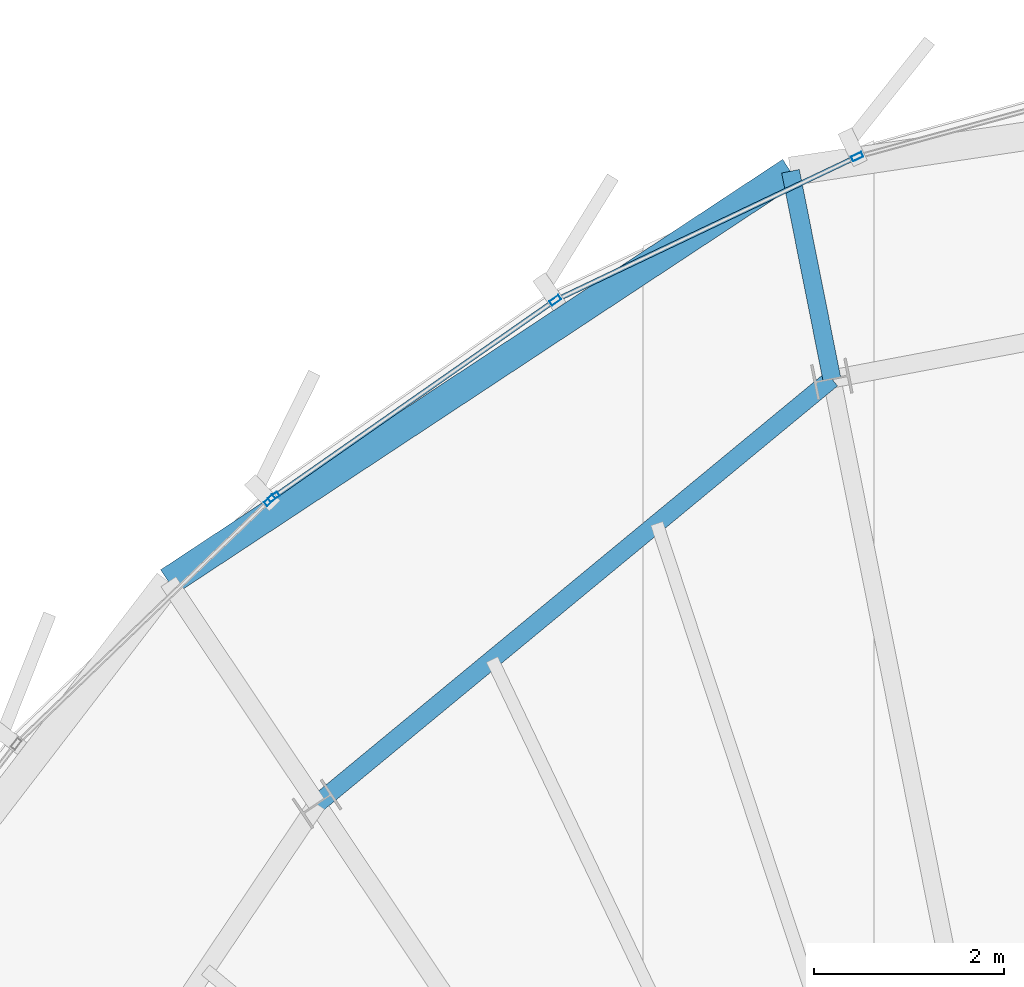
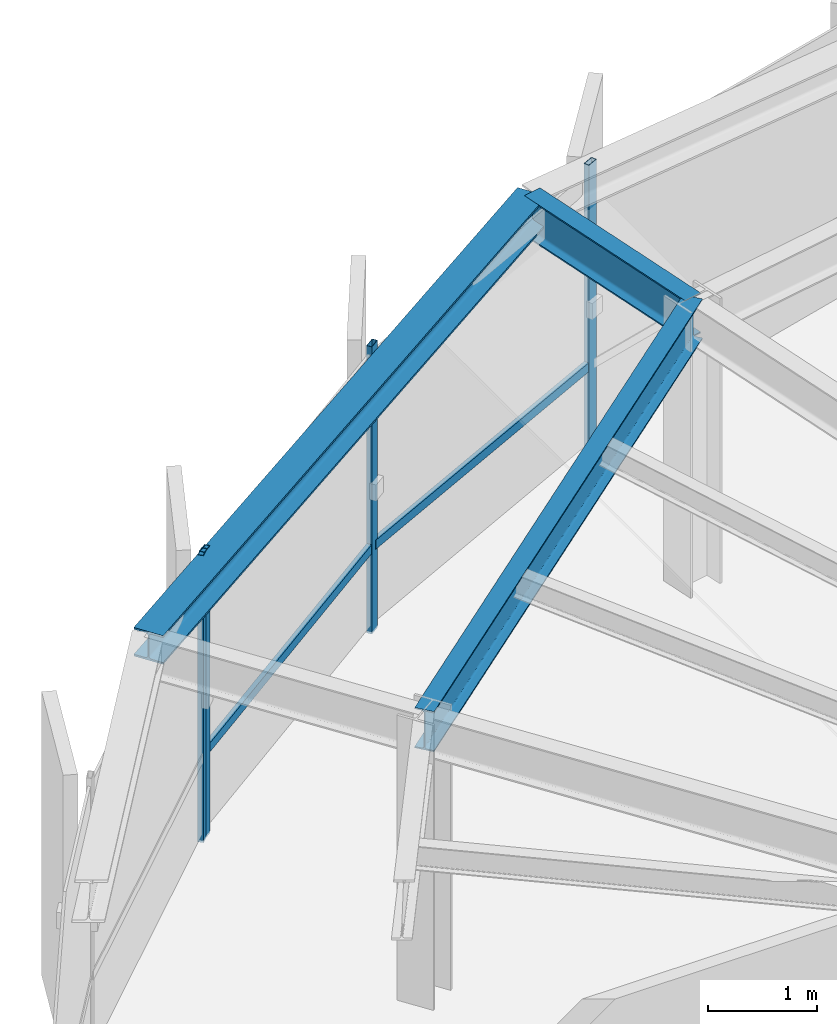
# One storey, part 19 of 30: 6 members, 3 beams, 2 elements without a shape of their own.
"""IFC4 building model written with IfcOpenShell, lengths in metres."""

from ifc_helpers import new_model, si_unit, direction, frame, origin, origin_2d, place, context, subcontext, project, spatial, hollow_rectangle, i_section, extrude, source, transform, mapped, material, layer, layer_set, material_profile, profile_set, type_object, element, aggregate, save


model = new_model("IFC4")

# Units and contexts
model_context = context("Model", 3, precision=1e-05, world=origin(), true_north=direction((0.0, 1.0)))
body_context = subcontext(model_context, "Body", "Model", "MODEL_VIEW")
ifc_project = project(units=[si_unit("LENGTHUNIT", "METRE"), si_unit("AREAUNIT", "SQUARE_METRE"), si_unit("VOLUMEUNIT", "CUBIC_METRE"), si_unit("PLANEANGLEUNIT", "RADIAN"), si_unit("MASSUNIT", "GRAM", prefix="KILO"), si_unit("THERMODYNAMICTEMPERATUREUNIT", "KELVIN")], contexts=[model_context])

# Site, building, storey
site_placement = place(None, origin())
site = spatial("IfcSite", under=ifc_project, at=site_placement, CompositionType="ELEMENT")
building_placement = place(site_placement, origin())
building = spatial("IfcBuilding", under=site, at=building_placement, Name="Kethvar Cultural Tower", CompositionType="ELEMENT")
storey_placement = place(building_placement, frame((0.0, 0.0, 293.949951171875)))
storey = spatial("IfcBuildingStorey", under=building, at=storey_placement, Name="L78", CompositionType="ELEMENT", Elevation=293.949951171875)

# Beams
ifc_material_1 = material(Name="Steel S355J2", Category="steel")
ifc_material_profile_1 = material_profile(ifc_material_1, i_section(OverallWidth=0.18994140625, OverallDepth=0.449951171875, WebThickness=0.009521484375, FlangeThickness=0.0146484375, FilletRadius=0.02099609375, at=origin_2d()), Name="Steel S355J2 — IPE450")
ifc_profile_set_1 = profile_set([ifc_material_profile_1], Name="Steel S355J2 — IPE450")
beam_type_1 = type_object("IfcBeamType", Name="BM-IPE450", PredefinedType="BEAM", material=ifc_profile_set_1)
shared_shape_1 = source(origin(), body_context, "Body", "SweptSolid", [
    extrude(i_section(OverallWidth=0.18994140625, OverallDepth=0.449951171875, WebThickness=0.009521484375, FlangeThickness=0.0146484375, FilletRadius=0.02099609375, at=origin_2d()), origin(), (0.0, 0.0, 1.0), 7.03271484375),
])
beam_1_placement = place(storey_placement, frame((43.23291015625, 45.732421875, 2.983154296875), z_axis=(-0.771161072103, -0.636640087391, 0.0), x_axis=(0.636640087391, -0.771161072103, 0.0)))
element("IfcBeam", 1, at=beam_1_placement, inside=storey, type_object=beam_type_1, Name="L78 Column Ring Tie Beam CR-05", PredefinedType="BEAM", context=body_context, shape_type="MappedRepresentation", body=[
    mapped(shared_shape_1, transform((0.0, 0.0, 0.0), scale=1.0)),
])
ifc_material_profile_2 = material_profile(ifc_material_1, i_section(OverallWidth=0.300048828125, OverallDepth=0.320068359375, WebThickness=0.011474609375, FlangeThickness=0.0205078125, FilletRadius=0.027099609375, at=origin_2d()), Name="Steel S355J2 — HEB320")
ifc_profile_set_2 = profile_set([ifc_material_profile_2], Name="Steel S355J2 — HEB320")
beam_type_2 = type_object("IfcBeamType", Name="BM-SP320", PredefinedType="SPANDREL", material=ifc_profile_set_2)
shared_shape_2 = source(origin(), body_context, "Body", "SweptSolid", [
    extrude(i_section(OverallWidth=0.300048828125, OverallDepth=0.320068359375, WebThickness=0.011474609375, FlangeThickness=0.0205078125, FilletRadius=0.027099609375, at=origin_2d()), origin(), (0.0, 0.0, 1.0), 7.850830078125),
])
beam_2_placement = place(storey_placement, frame((42.7978515625, 47.920166015625, 3.048095703125), z_axis=(-0.834696035106, -0.550710930505, 0.0), x_axis=(0.550710930505, -0.834696035106, 0.0)))
element("IfcBeam", 2, at=beam_2_placement, inside=storey, type_object=beam_type_2, Name="L78 Perimeter Spandrel Beam SP-05", PredefinedType="SPANDREL", context=body_context, shape_type="MappedRepresentation", body=[
    mapped(shared_shape_2, transform((0.0, 0.0, 0.0), scale=1.0)),
])
shared_shape_3 = source(origin(), body_context, "Body", "SweptSolid", [
    extrude(i_section(OverallWidth=0.18994140625, OverallDepth=0.449951171875, WebThickness=0.009521484375, FlangeThickness=0.0146484375, FilletRadius=0.02099609375, at=origin_2d()), origin(), (0.0, 0.0, 1.0), 2.23046875),
])
beam_3_placement = place(storey_placement, frame((43.23291015625, 45.732421875, 2.983154296875), z_axis=(-0.195042551109, 0.980794781418, 0.0), x_axis=(-0.980794781418, -0.195042551109, 0.0)))
element("IfcBeam", 3, at=beam_3_placement, inside=storey, type_object=beam_type_1, Name="L78 Perimeter Cantilever Beam RC-05", PredefinedType="BEAM", context=body_context, shape_type="MappedRepresentation", body=[
    mapped(shared_shape_3, transform((0.0, 0.0, 0.0), scale=1.0)),
])

# Curtain wall, members
ifc_material_2 = material(Name="Aluminium 6063-T6", Category="aluminium")
ifc_layer = layer(ifc_material_2, 0.179931640625, Name="Aluminium 6063-T6", Category="aluminium")
ifc_layer_set = layer_set([ifc_layer], Name="Aluminium 6063-T6 (180 mm)")
curtain_wall_type = type_object("IfcCurtainWallType", Name="CW-SYS-05-Z56", PredefinedType="NOTDEFINED", material=ifc_layer_set)
curtain_wall_1_placement = place(storey_placement, origin())
curtain_wall_1 = element("IfcCurtainWall", 4, at=curtain_wall_1_placement, inside=storey, type_object=curtain_wall_type, Name="L78 Curtain Wall Run 01", PredefinedType="NOTDEFINED")
ifc_material_profile_3 = material_profile(ifc_material_2, hollow_rectangle(XDim=0.054931640625, YDim=0.1201171875, WallThickness=0.00390625, at=origin_2d()), Name="Aluminium 6063-T6 — RHS120x55x4")
ifc_profile_set_3 = profile_set([ifc_material_profile_3], Name="Aluminium 6063-T6 — RHS120x55x4")
member_type_1 = type_object("IfcMemberType", Name="CW-SYS-05-Z56-MUL", PredefinedType="MULLION", material=ifc_profile_set_3)
shared_shape_4 = source(origin(), body_context, "Body", "SweptSolid", [
    extrude(hollow_rectangle(XDim=0.054931640625, YDim=0.1201171875, WallThickness=0.00390625, at=origin_2d()), origin(), (0.0, 0.0, 1.0), 3.2099609375),
])
member_1_placement = place(storey_placement, frame((43.499755859375, 48.07421875, 0.0), z_axis=(0.0, 0.0, 1.0), x_axis=(0.429817834192, -0.902915626961, 0.0)))
member_1 = element("IfcMember", 5, at=member_1_placement, type_object=member_type_1, Name="CW-L78-R01 Mullion 5", PredefinedType="MULLION", context=body_context, shape_type="MappedRepresentation", body=[
    mapped(shared_shape_4, transform((0.0, 0.0, 0.0), scale=1.0)),
])
member_2_placement = place(storey_placement, frame((40.320068359375, 46.56201171875, 0.0), z_axis=(0.0, 0.0, 1.0), x_axis=(0.572775536102, -0.81971225759, 0.0)))
member_2 = element("IfcMember", 6, at=member_2_placement, type_object=member_type_1, Name="CW-L78-R01 Mullion 6", PredefinedType="MULLION", context=body_context, shape_type="MappedRepresentation", body=[
    mapped(shared_shape_4, transform((0.0, 0.0, 0.0), scale=1.0)),
])
member_3_placement = place(storey_placement, frame((37.353759765625, 44.489501953125, 0.0), z_axis=(0.0, 0.0, 1.0), x_axis=(0.572775536102, -0.81971225759, 0.0)))
member_3 = element("IfcMember", 7, at=member_3_placement, type_object=member_type_1, Name="CW-L78-R01 Mullion 7", PredefinedType="MULLION", context=body_context, shape_type="MappedRepresentation", body=[
    mapped(shared_shape_4, transform((0.0, 0.0, 0.0), scale=1.0)),
])

# Curtain wall, member
curtain_wall_2_placement = place(storey_placement, origin())
curtain_wall_2 = element("IfcCurtainWall", 8, at=curtain_wall_2_placement, inside=storey, type_object=curtain_wall_type, Name="L78 Curtain Wall Run 02", PredefinedType="NOTDEFINED")
member_4_placement = place(storey_placement, frame((37.310791015625, 44.4541015625, 0.0), z_axis=(0.0, 0.0, 1.0), x_axis=(0.693137685931, -0.72080520832, 0.0)))
member_4 = element("IfcMember", 9, at=member_4_placement, type_object=member_type_1, Name="CW-L78-R02 Mullion 1", PredefinedType="MULLION", context=body_context, shape_type="MappedRepresentation", body=[
    mapped(shared_shape_4, transform((0.0, 0.0, 0.0), scale=1.0)),
])
aggregate(curtain_wall_2, [member_4])

# Member
ifc_material_profile_4 = material_profile(ifc_material_2, hollow_rectangle(XDim=0.050048828125, YDim=0.10009765625, WallThickness=0.00390625, at=origin_2d()), Name="Aluminium 6063-T6 — RHS100x50x4")
ifc_profile_set_4 = profile_set([ifc_material_profile_4], Name="Aluminium 6063-T6 — RHS100x50x4")
member_type_2 = type_object("IfcMemberType", Name="CW-SYS-05-Z56-TRN", PredefinedType="USERDEFINED", material=ifc_profile_set_4)
shared_shape_5 = source(origin(), body_context, "Body", "SweptSolid", [
    extrude(hollow_rectangle(XDim=0.050048828125, YDim=0.10009765625, WallThickness=0.00390625, at=origin_2d()), origin(), (0.0, 0.0, 1.0), 3.45849609375),
])
member_5_placement = place(storey_placement, frame((43.464111328125, 48.057373046875, 0.949951171875), z_axis=(-0.902914008718, -0.429821233608, 0.0), x_axis=(0.429821233608, -0.902914008718, 0.0)))
member_5 = element("IfcMember", 10, at=member_5_placement, type_object=member_type_2, Name="CW-L78-R01 Transom 5", ObjectType="TRANSOM", PredefinedType="USERDEFINED", context=body_context, shape_type="MappedRepresentation", body=[
    mapped(shared_shape_5, transform((0.0, 0.0, 0.0), scale=1.0)),
])

shared_shape_6 = source(origin(), body_context, "Body", "SweptSolid", [
    extrude(hollow_rectangle(XDim=0.050048828125, YDim=0.10009765625, WallThickness=0.00390625, at=origin_2d()), origin(), (0.0, 0.0, 1.0), 3.5751953125),
])
member_6_placement = place(storey_placement, frame((40.28759765625, 46.539306640625, 0.949951171875), z_axis=(-0.819738495707, -0.572737984296, 0.0), x_axis=(0.572737984296, -0.819738495707, 0.0)))
member_6 = element("IfcMember", 11, at=member_6_placement, type_object=member_type_2, Name="CW-L78-R01 Transom 6", ObjectType="TRANSOM", PredefinedType="USERDEFINED", context=body_context, shape_type="MappedRepresentation", body=[
    mapped(shared_shape_6, transform((0.0, 0.0, 0.0), scale=1.0)),
])

aggregate(curtain_wall_1, [member_1, member_2, member_3, member_5, member_6])

save(model, "model.ifc")
